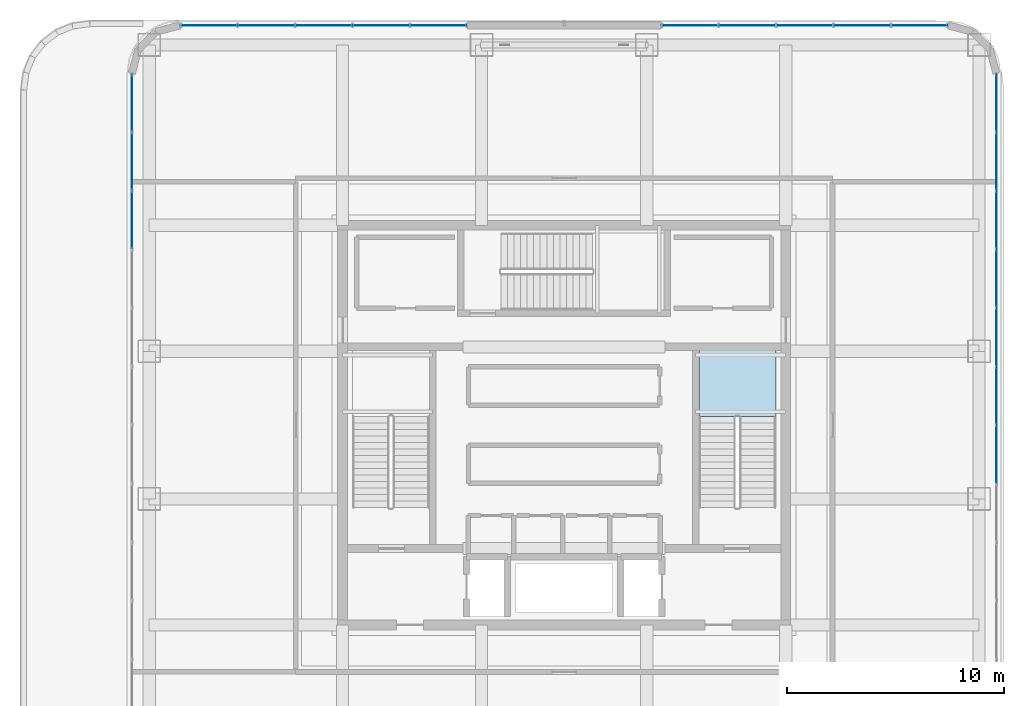
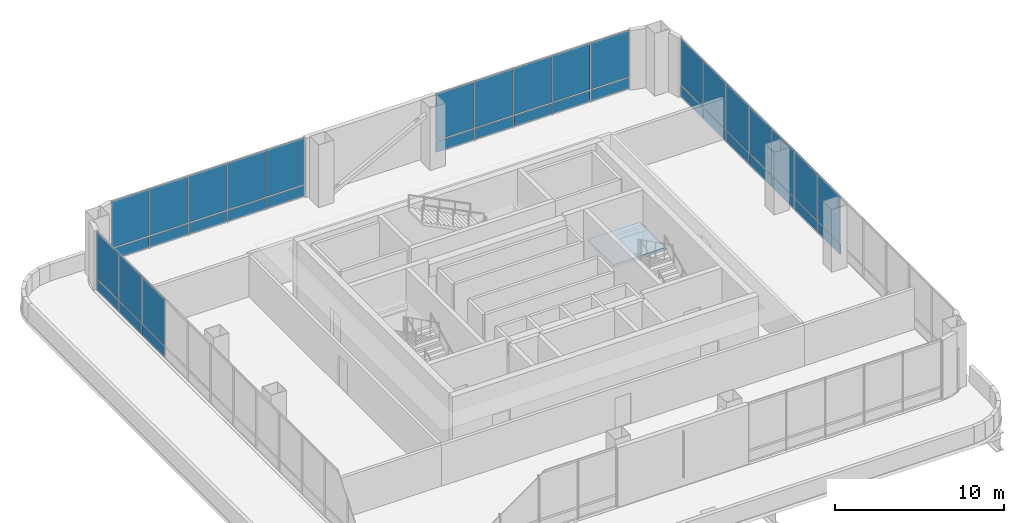
# One storey, part 26 of 33: 40 plates, 1 slab, 5 elements without a shape of their own.
"""IFC4 building model written with IfcOpenShell, lengths in metres."""

import ifcopenshell
import ifcopenshell.guid

model = None  # the IFC model being written
_history = None  # IfcOwnerHistory: only IFC2X3 demands one
_inside = {}  # id of a spatial element -> (the spatial element, [elements in it])
_under = {}  # id of a project, library or spatial element -> (it, [spatial elements below it])
_declared = {}  # id of a project -> (the project, [libraries it declares])
_typed = {}  # id of a type object -> (the type object, [elements of that type])
_made_of = {}  # id of a material, layer set ... -> (it, [elements and type objects made of it])


def new_model(schema):
    """Start an empty IFC model of exactly this schema.

    Asked for "IFC4X3", IfcOpenShell would pick the latest addendum, in which some entities
    have other attributes; the version numbers below select the first issue.
    IFC2X3 requires an IfcOwnerHistory on every rooted entity: one is made here for all.
    """
    global model, _history
    if schema == "IFC4X3":
        model = ifcopenshell.file(schema_version=(4, 3, 0, 0))
    else:
        model = ifcopenshell.file(schema=schema)
    _inside.clear()
    _under.clear()
    _declared.clear()
    _typed.clear()
    _made_of.clear()
    _history = None
    if model.schema == "IFC2X3":
        org = make("IfcOrganization", Name="unknown")
        user = make(
            "IfcPersonAndOrganization",
            ThePerson=make("IfcPerson", FamilyName="unknown"),
            TheOrganization=org,
        )
        app = make(
            "IfcApplication",
            ApplicationDeveloper=org,
            Version="unknown",
            ApplicationFullName="unknown",
            ApplicationIdentifier="unknown",
        )
        _history = make(
            "IfcOwnerHistory",
            OwningUser=user,
            OwningApplication=app,
            ChangeAction="ADDED",
            CreationDate=0,
        )
    return model


def make(cls, **values):
    """One entity of the class cls with the attributes given. An attribute that is None is left unset."""
    return model.create_entity(
        cls, **{name: value for name, value in values.items() if value is not None}
    )


def rooted(cls, **values):
    """An entity with a GlobalId (a new one), such as an element, a storey or a relation."""
    return make(cls, GlobalId=ifcopenshell.guid.new(), OwnerHistory=_history, **values)


def si_unit(unit_type, name, prefix=None):
    """IfcSIUnit, for example si_unit("LENGTHUNIT", "METRE", prefix="MILLI")."""
    return make("IfcSIUnit", UnitType=unit_type, Prefix=prefix, Name=name)


def assignment(units):
    """IfcUnitAssignment: the units of a project."""
    return None if units is None else make("IfcUnitAssignment", Units=units)


def point(xyz):
    """IfcCartesianPoint."""
    return None if xyz is None else make("IfcCartesianPoint", Coordinates=xyz)


def direction(xyz):
    """IfcDirection."""
    return None if xyz is None else make("IfcDirection", DirectionRatios=xyz)


def frame(location, z_axis=None, x_axis=None):
    """IfcAxis2Placement3D, a coordinate frame: its origin and axes. An axis left out is left unset."""
    return make(
        "IfcAxis2Placement3D",
        Location=point(location),
        Axis=direction(z_axis),
        RefDirection=direction(x_axis),
    )


def frame_2d(location, x_axis=None):
    """IfcAxis2Placement2D, a coordinate frame in the plane: its origin and x axis."""
    return make(
        "IfcAxis2Placement2D", Location=point(location), RefDirection=direction(x_axis)
    )


def origin():
    """The frame at (0, 0, 0) with its axes left unset."""
    return frame((0.0, 0.0, 0.0))


def origin_2d():
    """The frame at (0, 0) in the plane with its x axis left unset."""
    return frame_2d((0.0, 0.0))


def place(relative_to, where):
    """IfcLocalPlacement: puts the frame where relative to a parent placement (None: the world)."""
    return make(
        "IfcLocalPlacement", PlacementRelTo=relative_to, RelativePlacement=where
    )


def context(
    kind, dimensions, precision=None, world=None, true_north=None, identifier=None
):
    """IfcGeometricRepresentationContext, for example the 3D "Model" context."""
    return make(
        "IfcGeometricRepresentationContext",
        ContextIdentifier=identifier,
        ContextType=kind,
        CoordinateSpaceDimension=dimensions,
        Precision=precision,
        WorldCoordinateSystem=world,
        TrueNorth=true_north,
    )


def subcontext(parent, identifier, kind, view, scale=None):
    """IfcGeometricRepresentationSubContext, for example "Body" below "Model"."""
    return make(
        "IfcGeometricRepresentationSubContext",
        ContextIdentifier=identifier,
        ContextType=kind,
        ParentContext=parent,
        TargetScale=scale,
        TargetView=view,
    )


def project(units=None, contexts=None):
    """IfcProject with its units and contexts."""
    return rooted(
        "IfcProject",
        Name="project",
        RepresentationContexts=contexts,
        UnitsInContext=assignment(units),
    )


def spatial(cls, under=None, at=None, **own):
    """A site, building, storey or space (cls), placed at a placement, below another one or the project."""
    s = rooted(cls, ObjectPlacement=at, **own)
    if under is not None:
        _under.setdefault(under.id(), (under, []))[1].append(s)
    return s


def polyline(points):
    """IfcPolyline through the points."""
    return make("IfcPolyline", Points=[point(p) for p in points])


def profile(cls, at=None, kind="AREA", **sizes):
    """A parametric profile (cls). Its sizes go by their IFC names, for example OverallWidth=200.0."""
    return make(cls, ProfileType=kind, Position=at, **sizes)


def rectangle(**sizes):
    """IfcRectangleProfileDef."""
    return profile("IfcRectangleProfileDef", **sizes)


def outline(outer, holes=None, kind="AREA"):
    """IfcArbitraryClosedProfileDef: a profile drawn as a closed curve; with holes, ...WithVoids."""
    if holes is None:
        return make("IfcArbitraryClosedProfileDef", ProfileType=kind, OuterCurve=outer)
    return make(
        "IfcArbitraryProfileDefWithVoids",
        ProfileType=kind,
        OuterCurve=outer,
        InnerCurves=holes,
    )


def extrude(swept, where, along, depth):
    """IfcExtrudedAreaSolid: the profile swept, set in the frame where, extruded along a direction by depth."""
    return make(
        "IfcExtrudedAreaSolid",
        SweptArea=swept,
        Position=where,
        ExtrudedDirection=direction(along),
        Depth=depth,
    )


def shape(context_of_items, identifier, shape_type, items):
    """IfcShapeRepresentation: the items that make up one representation, for example the "Body"."""
    return make(
        "IfcShapeRepresentation",
        ContextOfItems=context_of_items,
        RepresentationIdentifier=identifier,
        RepresentationType=shape_type,
        Items=items,
    )


def material(Name=None, Category=None):
    """IfcMaterial."""
    return make("IfcMaterial", Name=Name, Category=Category)


def layer(
    of_material, thickness, ventilated=None, Name=None, Category=None, Priority=None
):
    """IfcMaterialLayer: one layer of a wall or slab, of a material (None: an air gap)."""
    return make(
        "IfcMaterialLayer",
        Material=of_material,
        LayerThickness=thickness,
        IsVentilated=ventilated,
        Name=Name,
        Category=Category,
        Priority=Priority,
    )


def layer_set(layers, Name=None):
    """IfcMaterialLayerSet."""
    return make("IfcMaterialLayerSet", MaterialLayers=layers, LayerSetName=Name)


def made_of(thing, what):
    """Note that an element or type object is made of a material, layer set ...; save() writes the relation."""
    if what is not None:
        _made_of.setdefault(what.id(), (what, []))[1].append(thing)
    return thing


def type_object(cls, material=None, **own):
    """A type object (cls), such as IfcWallType, which elements share."""
    return made_of(rooted(cls, **own), material)


def element(
    cls,
    number,
    at=None,
    inside=None,
    cuts=None,
    type_object=None,
    material=None,
    context=None,
    identifier="Body",
    shape_type=None,
    held_by="IfcProductDefinitionShape",
    body=None,
    shapes=None,
    **own,
):
    """One element of the class cls, such as IfcWall. Its Tag is "e" and its number.

    at: its placement. inside: the storey or other place that contains it. cuts: it is an
    opening in that element (IfcRelVoidsElement). A single representation is given by context,
    identifier, shape_type and body (its items); several are given by shapes. held_by: the class
    of the entity that holds the representations. save() writes the other relations.
    """
    e = rooted(cls, Tag="e%d" % number, ObjectPlacement=at, **own)
    if body is not None:
        shapes = [shape(context, identifier, shape_type, body)]
    if shapes is not None:
        e.Representation = make(held_by, Representations=shapes)
    if inside is not None:
        _inside.setdefault(inside.id(), (inside, []))[1].append(e)
    if cuts is not None:
        rooted(
            "IfcRelVoidsElement", RelatingBuildingElement=cuts, RelatedOpeningElement=e
        )
    if type_object is not None:
        _typed.setdefault(type_object.id(), (type_object, []))[1].append(e)
    return made_of(e, material)


def aggregate(whole, parts):
    """IfcRelAggregates: a whole, such as a stair, and the parts it consists of."""
    return rooted("IfcRelAggregates", RelatingObject=whole, RelatedObjects=parts)


def save(model, path):
    """Write the relations noted so far, then the file.

    IfcRelAggregates (storeys below a building ...), IfcRelContainedInSpatialStructure (elements
    in a storey), IfcRelDefinesByType, IfcRelAssociatesMaterial and IfcRelDeclares: one each for
    every whole, place, type object, material and project.
    """
    for whole, parts in _under.values():
        aggregate(whole, parts)
    for where, things in _inside.values():
        rooted(
            "IfcRelContainedInSpatialStructure",
            RelatedElements=things,
            RelatingStructure=where,
        )
    for kind, things in _typed.values():
        rooted("IfcRelDefinesByType", RelatedObjects=things, RelatingType=kind)
    for what, things in _made_of.values():
        rooted("IfcRelAssociatesMaterial", RelatedObjects=things, RelatingMaterial=what)
    for by, libraries in _declared.values():
        rooted("IfcRelDeclares", RelatingContext=by, RelatedDefinitions=libraries)
    model.write(path)


model = new_model("IFC4")

# Units and contexts
model_context = context("Model", 3, precision=1e-05, world=origin(), true_north=direction((0.0, 1.0)))
body_context = subcontext(model_context, "Body", "Model", "MODEL_VIEW")
ifc_project = project(units=[si_unit("LENGTHUNIT", "METRE"), si_unit("AREAUNIT", "SQUARE_METRE"), si_unit("VOLUMEUNIT", "CUBIC_METRE"), si_unit("PLANEANGLEUNIT", "RADIAN"), si_unit("MASSUNIT", "GRAM", prefix="KILO")], contexts=[model_context])

# Site, building, storey
site_placement = place(None, origin())
site = spatial("IfcSite", under=ifc_project, at=site_placement, CompositionType="ELEMENT")
building_placement = place(site_placement, origin())
building = spatial("IfcBuilding", under=site, at=building_placement, Name="Punatoya Terracotta Tower", CompositionType="ELEMENT")
storey_placement = place(building_placement, frame((0.0, 0.0, 343.800048828125)))
storey = spatial("IfcBuildingStorey", under=building, at=storey_placement, Name="L81", CompositionType="ELEMENT", Elevation=343.800048828125)

# Curtain wall, plates
ifc_material_1 = material(Name="Aluminium 6063-T6 + Double Low-E Glass", Category="aluminium")
curtain_wall_type = type_object("IfcCurtainWallType", Name="CW-CRN", PredefinedType="NOTDEFINED", material=ifc_material_1)
curtain_wall_1_placement = place(storey_placement, origin())
curtain_wall_1 = element("IfcCurtainWall", 1, at=curtain_wall_1_placement, inside=storey, type_object=curtain_wall_type, Name="L81 Curtain Wall CW-L81-E05-1", PredefinedType="NOTDEFINED")
ifc_material_2 = material(Name="Double Low-E Acoustic Vision Glass", Category="glass")
ifc_layer_1 = layer(ifc_material_2, 0.031982421875)
ifc_layer_set_1 = layer_set([ifc_layer_1], Name="Double Low-E Acoustic Vision Glass")
plate_type_1 = type_object("IfcPlateType", Name="PLT-GLZ-32", PredefinedType="CURTAIN_PANEL", material=ifc_layer_set_1)
plate_1_placement = place(storey_placement, frame((19.89990234375, -1.348876953125, 0.889892578125), z_axis=(0.0, 0.0, 1.0), x_axis=(0.0, 1.0, 0.0)))
plate_1 = element("IfcPlate", 2, at=plate_1_placement, type_object=plate_type_1, Name="CW-L81-E05-1 Vision Glass Panel 6", PredefinedType="CURTAIN_PANEL", context=body_context, shape_type="SweptSolid", body=[
    extrude(rectangle(XDim=2.61279296875, YDim=0.031982421875, at=origin_2d()), origin(), (0.0, 0.0, 1.0), 3.35009765625),
])
plate_2_placement = place(storey_placement, frame((19.89990234375, 1.348876953125, 0.889892578125), z_axis=(0.0, 0.0, 1.0), x_axis=(0.0, 1.0, 0.0)))
plate_2 = element("IfcPlate", 3, at=plate_2_placement, type_object=plate_type_1, Name="CW-L81-E05-1 Vision Glass Panel 7", PredefinedType="CURTAIN_PANEL", context=body_context, shape_type="SweptSolid", body=[
    extrude(rectangle(XDim=2.61279296875, YDim=0.031982421875, at=origin_2d()), origin(), (0.0, 0.0, 1.0), 3.35009765625),
])
plate_3_placement = place(storey_placement, frame((19.89990234375, 4.046630859375, 0.889892578125), z_axis=(0.0, 0.0, 1.0), x_axis=(0.0, 1.0, 0.0)))
plate_3 = element("IfcPlate", 4, at=plate_3_placement, type_object=plate_type_1, Name="CW-L81-E05-1 Vision Glass Panel 8", PredefinedType="CURTAIN_PANEL", context=body_context, shape_type="SweptSolid", body=[
    extrude(rectangle(XDim=2.61279296875, YDim=0.031982421875, at=origin_2d()), origin(), (0.0, 0.0, 1.0), 3.35009765625),
])
plate_4_placement = place(storey_placement, frame((19.89990234375, 6.744384765625, 0.889892578125), z_axis=(0.0, 0.0, 1.0), x_axis=(0.0, 1.0, 0.0)))
plate_4 = element("IfcPlate", 5, at=plate_4_placement, type_object=plate_type_1, Name="CW-L81-E05-1 Vision Glass Panel 9", PredefinedType="CURTAIN_PANEL", context=body_context, shape_type="SweptSolid", body=[
    extrude(rectangle(XDim=2.61279296875, YDim=0.031982421875, at=origin_2d()), origin(), (0.0, 0.0, 1.0), 3.35009765625),
])
plate_5_placement = place(storey_placement, frame((19.89990234375, 9.4423828125, 0.889892578125), z_axis=(0.0, 0.0, 1.0), x_axis=(0.0, 1.0, 0.0)))
plate_5 = element("IfcPlate", 6, at=plate_5_placement, type_object=plate_type_1, Name="CW-L81-E05-1 Vision Glass Panel 10", PredefinedType="CURTAIN_PANEL", context=body_context, shape_type="SweptSolid", body=[
    extrude(rectangle(XDim=2.61279296875, YDim=0.031982421875, at=origin_2d()), origin(), (0.0, 0.0, 1.0), 3.35009765625),
])
plate_6_placement = place(storey_placement, frame((19.89990234375, 12.14013671875, 0.889892578125), z_axis=(0.0, 0.0, 1.0), x_axis=(0.0, 1.0, 0.0)))
plate_6 = element("IfcPlate", 7, at=plate_6_placement, type_object=plate_type_1, Name="CW-L81-E05-1 Vision Glass Panel 11", PredefinedType="CURTAIN_PANEL", context=body_context, shape_type="SweptSolid", body=[
    extrude(rectangle(XDim=2.61279296875, YDim=0.031982421875, at=origin_2d()), origin(), (0.0, 0.0, 1.0), 3.35009765625),
])
plate_7_placement = place(storey_placement, frame((19.89990234375, 14.837890625, 0.889892578125), z_axis=(0.0, 0.0, 1.0), x_axis=(0.0, 1.0, 0.0)))
plate_7 = element("IfcPlate", 8, at=plate_7_placement, type_object=plate_type_1, Name="CW-L81-E05-1 Vision Glass Panel 12", PredefinedType="CURTAIN_PANEL", context=body_context, shape_type="SweptSolid", body=[
    extrude(rectangle(XDim=2.61279296875, YDim=0.031982421875, at=origin_2d()), origin(), (0.0, 0.0, 1.0), 3.35009765625),
])

curtain_wall_2_placement = place(storey_placement, origin())
curtain_wall_2 = element("IfcCurtainWall", 9, at=curtain_wall_2_placement, inside=storey, type_object=curtain_wall_type, Name="L81 Curtain Wall CW-L81-N09-1", PredefinedType="NOTDEFINED")
plate_8_placement = place(storey_placement, frame((16.36328125, 18.39990234375, 0.889892578125), z_axis=(0.0, 0.0, 1.0), x_axis=(-1.0, 0.0, 0.0)))
plate_8 = element("IfcPlate", 10, at=plate_8_placement, type_object=plate_type_1, Name="CW-L81-N09-1 Vision Glass Panel 1", PredefinedType="CURTAIN_PANEL", context=body_context, shape_type="SweptSolid", body=[
    extrude(rectangle(XDim=2.5625, YDim=0.031982421875, at=origin_2d()), origin(), (0.0, 0.0, 1.0), 3.35009765625),
])
plate_9_placement = place(storey_placement, frame((13.7158203125, 18.39990234375, 0.889892578125), z_axis=(0.0, 0.0, 1.0), x_axis=(-1.0, 0.0, 0.0)))
plate_9 = element("IfcPlate", 11, at=plate_9_placement, type_object=plate_type_1, Name="CW-L81-N09-1 Vision Glass Panel 2", PredefinedType="CURTAIN_PANEL", context=body_context, shape_type="SweptSolid", body=[
    extrude(rectangle(XDim=2.5625, YDim=0.031982421875, at=origin_2d()), origin(), (0.0, 0.0, 1.0), 3.35009765625),
])
plate_10_placement = place(storey_placement, frame((11.068603515625, 18.39990234375, 0.889892578125), z_axis=(0.0, 0.0, 1.0), x_axis=(-1.0, 0.0, 0.0)))
plate_10 = element("IfcPlate", 12, at=plate_10_placement, type_object=plate_type_1, Name="CW-L81-N09-1 Vision Glass Panel 3", PredefinedType="CURTAIN_PANEL", context=body_context, shape_type="SweptSolid", body=[
    extrude(rectangle(XDim=2.5625, YDim=0.031982421875, at=origin_2d()), origin(), (0.0, 0.0, 1.0), 3.35009765625),
])
plate_11_placement = place(storey_placement, frame((8.421142578125, 18.39990234375, 0.889892578125), z_axis=(0.0, 0.0, 1.0), x_axis=(-1.0, 0.0, 0.0)))
plate_11 = element("IfcPlate", 13, at=plate_11_placement, type_object=plate_type_1, Name="CW-L81-N09-1 Vision Glass Panel 4", PredefinedType="CURTAIN_PANEL", context=body_context, shape_type="SweptSolid", body=[
    extrude(rectangle(XDim=2.5625, YDim=0.031982421875, at=origin_2d()), origin(), (0.0, 0.0, 1.0), 3.35009765625),
])
plate_12_placement = place(storey_placement, frame((5.773681640625, 18.39990234375, 0.889892578125), z_axis=(0.0, 0.0, 1.0), x_axis=(-1.0, 0.0, 0.0)))
plate_12 = element("IfcPlate", 14, at=plate_12_placement, type_object=plate_type_1, Name="CW-L81-N09-1 Vision Glass Panel 5", PredefinedType="CURTAIN_PANEL", context=body_context, shape_type="SweptSolid", body=[
    extrude(rectangle(XDim=2.5625, YDim=0.031982421875, at=origin_2d()), origin(), (0.0, 0.0, 1.0), 3.35009765625),
])

curtain_wall_3_placement = place(storey_placement, origin())
curtain_wall_3 = element("IfcCurtainWall", 15, at=curtain_wall_3_placement, inside=storey, type_object=curtain_wall_type, Name="L81 Curtain Wall CW-L81-N09-2", PredefinedType="NOTDEFINED")
plate_13_placement = place(storey_placement, frame((-5.773681640625, 18.39990234375, 0.889892578125), z_axis=(0.0, 0.0, 1.0), x_axis=(-1.0, 0.0, 0.0)))
plate_13 = element("IfcPlate", 16, at=plate_13_placement, type_object=plate_type_1, Name="CW-L81-N09-2 Vision Glass Panel 1", PredefinedType="CURTAIN_PANEL", context=body_context, shape_type="SweptSolid", body=[
    extrude(rectangle(XDim=2.5625, YDim=0.031982421875, at=origin_2d()), origin(), (0.0, 0.0, 1.0), 3.35009765625),
])
plate_14_placement = place(storey_placement, frame((-8.421142578125, 18.39990234375, 0.889892578125), z_axis=(0.0, 0.0, 1.0), x_axis=(-1.0, 0.0, 0.0)))
plate_14 = element("IfcPlate", 17, at=plate_14_placement, type_object=plate_type_1, Name="CW-L81-N09-2 Vision Glass Panel 2", PredefinedType="CURTAIN_PANEL", context=body_context, shape_type="SweptSolid", body=[
    extrude(rectangle(XDim=2.5625, YDim=0.031982421875, at=origin_2d()), origin(), (0.0, 0.0, 1.0), 3.35009765625),
])
plate_15_placement = place(storey_placement, frame((-11.068603515625, 18.39990234375, 0.889892578125), z_axis=(0.0, 0.0, 1.0), x_axis=(-1.0, 0.0, 0.0)))
plate_15 = element("IfcPlate", 18, at=plate_15_placement, type_object=plate_type_1, Name="CW-L81-N09-2 Vision Glass Panel 3", PredefinedType="CURTAIN_PANEL", context=body_context, shape_type="SweptSolid", body=[
    extrude(rectangle(XDim=2.5625, YDim=0.031982421875, at=origin_2d()), origin(), (0.0, 0.0, 1.0), 3.35009765625),
])
plate_16_placement = place(storey_placement, frame((-13.7158203125, 18.39990234375, 0.889892578125), z_axis=(0.0, 0.0, 1.0), x_axis=(-1.0, 0.0, 0.0)))
plate_16 = element("IfcPlate", 19, at=plate_16_placement, type_object=plate_type_1, Name="CW-L81-N09-2 Vision Glass Panel 4", PredefinedType="CURTAIN_PANEL", context=body_context, shape_type="SweptSolid", body=[
    extrude(rectangle(XDim=2.5625, YDim=0.031982421875, at=origin_2d()), origin(), (0.0, 0.0, 1.0), 3.35009765625),
])
plate_17_placement = place(storey_placement, frame((-16.36328125, 18.39990234375, 0.889892578125), z_axis=(0.0, 0.0, 1.0), x_axis=(-1.0, 0.0, 0.0)))
plate_17 = element("IfcPlate", 20, at=plate_17_placement, type_object=plate_type_1, Name="CW-L81-N09-2 Vision Glass Panel 5", PredefinedType="CURTAIN_PANEL", context=body_context, shape_type="SweptSolid", body=[
    extrude(rectangle(XDim=2.5625, YDim=0.031982421875, at=origin_2d()), origin(), (0.0, 0.0, 1.0), 3.35009765625),
])

curtain_wall_4_placement = place(storey_placement, origin())
curtain_wall_4 = element("IfcCurtainWall", 21, at=curtain_wall_4_placement, inside=storey, type_object=curtain_wall_type, Name="L81 Curtain Wall CW-L81-W13-1", PredefinedType="NOTDEFINED")
plate_18_placement = place(storey_placement, frame((-19.89990234375, 14.837890625, 0.889892578125), z_axis=(0.0, 0.0, 1.0), x_axis=(0.0, -1.0, 0.0)))
plate_18 = element("IfcPlate", 22, at=plate_18_placement, type_object=plate_type_1, Name="CW-L81-W13-1 Vision Glass Panel 1", PredefinedType="CURTAIN_PANEL", context=body_context, shape_type="SweptSolid", body=[
    extrude(rectangle(XDim=2.61279296875, YDim=0.031982421875, at=origin_2d()), origin(), (0.0, 0.0, 1.0), 3.35009765625),
])
plate_19_placement = place(storey_placement, frame((-19.89990234375, 12.14013671875, 0.889892578125), z_axis=(0.0, 0.0, 1.0), x_axis=(0.0, -1.0, 0.0)))
plate_19 = element("IfcPlate", 23, at=plate_19_placement, type_object=plate_type_1, Name="CW-L81-W13-1 Vision Glass Panel 2", PredefinedType="CURTAIN_PANEL", context=body_context, shape_type="SweptSolid", body=[
    extrude(rectangle(XDim=2.61279296875, YDim=0.031982421875, at=origin_2d()), origin(), (0.0, 0.0, 1.0), 3.35009765625),
])
plate_20_placement = place(storey_placement, frame((-19.89990234375, 9.4423828125, 0.889892578125), z_axis=(0.0, 0.0, 1.0), x_axis=(0.0, -1.0, 0.0)))
plate_20 = element("IfcPlate", 24, at=plate_20_placement, type_object=plate_type_1, Name="CW-L81-W13-1 Vision Glass Panel 3", PredefinedType="CURTAIN_PANEL", context=body_context, shape_type="SweptSolid", body=[
    extrude(rectangle(XDim=2.61279296875, YDim=0.031982421875, at=origin_2d()), origin(), (0.0, 0.0, 1.0), 3.35009765625),
])

# Plate
ifc_material_3 = material(Name="Crown Insulated Terracotta Spandrel Panel", Category="masonry")
ifc_layer_2 = layer(ifc_material_3, 0.052001953125)
ifc_layer_set_2 = layer_set([ifc_layer_2], Name="Crown Insulated Terracotta Spandrel Panel")
plate_type_2 = type_object("IfcPlateType", Name="PLT-SPN-52", PredefinedType="CURTAIN_PANEL", material=ifc_layer_set_2)
plate_21_placement = place(storey_placement, frame((19.89990234375, -1.348876953125, 0.0400390625), z_axis=(0.0, 0.0, 1.0), x_axis=(0.0, 1.0, 0.0)))
plate_21 = element("IfcPlate", 25, at=plate_21_placement, type_object=plate_type_2, Name="CW-L81-E05-1 Terracotta Spandrel Panel 6", PredefinedType="CURTAIN_PANEL", context=body_context, shape_type="SweptSolid", body=[
    extrude(rectangle(XDim=2.61279296875, YDim=0.052001953125, at=origin_2d()), origin(), (0.0, 0.0, 1.0), 0.77490234375),
])

plate_22_placement = place(storey_placement, frame((19.89990234375, 1.348876953125, 0.0400390625), z_axis=(0.0, 0.0, 1.0), x_axis=(0.0, 1.0, 0.0)))
plate_22 = element("IfcPlate", 26, at=plate_22_placement, type_object=plate_type_2, Name="CW-L81-E05-1 Terracotta Spandrel Panel 7", PredefinedType="CURTAIN_PANEL", context=body_context, shape_type="SweptSolid", body=[
    extrude(rectangle(XDim=2.61279296875, YDim=0.052001953125, at=origin_2d()), origin(), (0.0, 0.0, 1.0), 0.77490234375),
])

plate_23_placement = place(storey_placement, frame((19.89990234375, 4.046630859375, 0.0400390625), z_axis=(0.0, 0.0, 1.0), x_axis=(0.0, 1.0, 0.0)))
plate_23 = element("IfcPlate", 27, at=plate_23_placement, type_object=plate_type_2, Name="CW-L81-E05-1 Terracotta Spandrel Panel 8", PredefinedType="CURTAIN_PANEL", context=body_context, shape_type="SweptSolid", body=[
    extrude(rectangle(XDim=2.61279296875, YDim=0.052001953125, at=origin_2d()), origin(), (0.0, 0.0, 1.0), 0.77490234375),
])

plate_24_placement = place(storey_placement, frame((19.89990234375, 6.744384765625, 0.0400390625), z_axis=(0.0, 0.0, 1.0), x_axis=(0.0, 1.0, 0.0)))
plate_24 = element("IfcPlate", 28, at=plate_24_placement, type_object=plate_type_2, Name="CW-L81-E05-1 Terracotta Spandrel Panel 9", PredefinedType="CURTAIN_PANEL", context=body_context, shape_type="SweptSolid", body=[
    extrude(rectangle(XDim=2.61279296875, YDim=0.052001953125, at=origin_2d()), origin(), (0.0, 0.0, 1.0), 0.77490234375),
])

plate_25_placement = place(storey_placement, frame((19.89990234375, 9.4423828125, 0.0400390625), z_axis=(0.0, 0.0, 1.0), x_axis=(0.0, 1.0, 0.0)))
plate_25 = element("IfcPlate", 29, at=plate_25_placement, type_object=plate_type_2, Name="CW-L81-E05-1 Terracotta Spandrel Panel 10", PredefinedType="CURTAIN_PANEL", context=body_context, shape_type="SweptSolid", body=[
    extrude(rectangle(XDim=2.61279296875, YDim=0.052001953125, at=origin_2d()), origin(), (0.0, 0.0, 1.0), 0.77490234375),
])

plate_26_placement = place(storey_placement, frame((19.89990234375, 12.14013671875, 0.0400390625), z_axis=(0.0, 0.0, 1.0), x_axis=(0.0, 1.0, 0.0)))
plate_26 = element("IfcPlate", 30, at=plate_26_placement, type_object=plate_type_2, Name="CW-L81-E05-1 Terracotta Spandrel Panel 11", PredefinedType="CURTAIN_PANEL", context=body_context, shape_type="SweptSolid", body=[
    extrude(rectangle(XDim=2.61279296875, YDim=0.052001953125, at=origin_2d()), origin(), (0.0, 0.0, 1.0), 0.77490234375),
])

plate_27_placement = place(storey_placement, frame((19.89990234375, 14.837890625, 0.0400390625), z_axis=(0.0, 0.0, 1.0), x_axis=(0.0, 1.0, 0.0)))
plate_27 = element("IfcPlate", 31, at=plate_27_placement, type_object=plate_type_2, Name="CW-L81-E05-1 Terracotta Spandrel Panel 12", PredefinedType="CURTAIN_PANEL", context=body_context, shape_type="SweptSolid", body=[
    extrude(rectangle(XDim=2.61279296875, YDim=0.052001953125, at=origin_2d()), origin(), (0.0, 0.0, 1.0), 0.77490234375),
])

aggregate(curtain_wall_1, [plate_21, plate_1, plate_22, plate_2, plate_23, plate_3, plate_24, plate_4, plate_25, plate_5, plate_26, plate_6, plate_27, plate_7])

plate_28_placement = place(storey_placement, frame((16.36328125, 18.39990234375, 0.0400390625), z_axis=(0.0, 0.0, 1.0), x_axis=(-1.0, 0.0, 0.0)))
plate_28 = element("IfcPlate", 32, at=plate_28_placement, type_object=plate_type_2, Name="CW-L81-N09-1 Terracotta Spandrel Panel 1", PredefinedType="CURTAIN_PANEL", context=body_context, shape_type="SweptSolid", body=[
    extrude(rectangle(XDim=2.5625, YDim=0.052001953125, at=origin_2d()), origin(), (0.0, 0.0, 1.0), 0.77490234375),
])

plate_29_placement = place(storey_placement, frame((13.7158203125, 18.39990234375, 0.0400390625), z_axis=(0.0, 0.0, 1.0), x_axis=(-1.0, 0.0, 0.0)))
plate_29 = element("IfcPlate", 33, at=plate_29_placement, type_object=plate_type_2, Name="CW-L81-N09-1 Terracotta Spandrel Panel 2", PredefinedType="CURTAIN_PANEL", context=body_context, shape_type="SweptSolid", body=[
    extrude(rectangle(XDim=2.5625, YDim=0.052001953125, at=origin_2d()), origin(), (0.0, 0.0, 1.0), 0.77490234375),
])

plate_30_placement = place(storey_placement, frame((11.068603515625, 18.39990234375, 0.0400390625), z_axis=(0.0, 0.0, 1.0), x_axis=(-1.0, 0.0, 0.0)))
plate_30 = element("IfcPlate", 34, at=plate_30_placement, type_object=plate_type_2, Name="CW-L81-N09-1 Terracotta Spandrel Panel 3", PredefinedType="CURTAIN_PANEL", context=body_context, shape_type="SweptSolid", body=[
    extrude(rectangle(XDim=2.5625, YDim=0.052001953125, at=origin_2d()), origin(), (0.0, 0.0, 1.0), 0.77490234375),
])

plate_31_placement = place(storey_placement, frame((8.421142578125, 18.39990234375, 0.0400390625), z_axis=(0.0, 0.0, 1.0), x_axis=(-1.0, 0.0, 0.0)))
plate_31 = element("IfcPlate", 35, at=plate_31_placement, type_object=plate_type_2, Name="CW-L81-N09-1 Terracotta Spandrel Panel 4", PredefinedType="CURTAIN_PANEL", context=body_context, shape_type="SweptSolid", body=[
    extrude(rectangle(XDim=2.5625, YDim=0.052001953125, at=origin_2d()), origin(), (0.0, 0.0, 1.0), 0.77490234375),
])

plate_32_placement = place(storey_placement, frame((5.773681640625, 18.39990234375, 0.0400390625), z_axis=(0.0, 0.0, 1.0), x_axis=(-1.0, 0.0, 0.0)))
plate_32 = element("IfcPlate", 36, at=plate_32_placement, type_object=plate_type_2, Name="CW-L81-N09-1 Terracotta Spandrel Panel 5", PredefinedType="CURTAIN_PANEL", context=body_context, shape_type="SweptSolid", body=[
    extrude(rectangle(XDim=2.5625, YDim=0.052001953125, at=origin_2d()), origin(), (0.0, 0.0, 1.0), 0.77490234375),
])

aggregate(curtain_wall_2, [plate_28, plate_8, plate_29, plate_9, plate_30, plate_10, plate_31, plate_11, plate_32, plate_12])

plate_33_placement = place(storey_placement, frame((-5.773681640625, 18.39990234375, 0.0400390625), z_axis=(0.0, 0.0, 1.0), x_axis=(-1.0, 0.0, 0.0)))
plate_33 = element("IfcPlate", 37, at=plate_33_placement, type_object=plate_type_2, Name="CW-L81-N09-2 Terracotta Spandrel Panel 1", PredefinedType="CURTAIN_PANEL", context=body_context, shape_type="SweptSolid", body=[
    extrude(rectangle(XDim=2.5625, YDim=0.052001953125, at=origin_2d()), origin(), (0.0, 0.0, 1.0), 0.77490234375),
])

plate_34_placement = place(storey_placement, frame((-8.421142578125, 18.39990234375, 0.0400390625), z_axis=(0.0, 0.0, 1.0), x_axis=(-1.0, 0.0, 0.0)))
plate_34 = element("IfcPlate", 38, at=plate_34_placement, type_object=plate_type_2, Name="CW-L81-N09-2 Terracotta Spandrel Panel 2", PredefinedType="CURTAIN_PANEL", context=body_context, shape_type="SweptSolid", body=[
    extrude(rectangle(XDim=2.5625, YDim=0.052001953125, at=origin_2d()), origin(), (0.0, 0.0, 1.0), 0.77490234375),
])

plate_35_placement = place(storey_placement, frame((-11.068603515625, 18.39990234375, 0.0400390625), z_axis=(0.0, 0.0, 1.0), x_axis=(-1.0, 0.0, 0.0)))
plate_35 = element("IfcPlate", 39, at=plate_35_placement, type_object=plate_type_2, Name="CW-L81-N09-2 Terracotta Spandrel Panel 3", PredefinedType="CURTAIN_PANEL", context=body_context, shape_type="SweptSolid", body=[
    extrude(rectangle(XDim=2.5625, YDim=0.052001953125, at=origin_2d()), origin(), (0.0, 0.0, 1.0), 0.77490234375),
])

plate_36_placement = place(storey_placement, frame((-13.7158203125, 18.39990234375, 0.0400390625), z_axis=(0.0, 0.0, 1.0), x_axis=(-1.0, 0.0, 0.0)))
plate_36 = element("IfcPlate", 40, at=plate_36_placement, type_object=plate_type_2, Name="CW-L81-N09-2 Terracotta Spandrel Panel 4", PredefinedType="CURTAIN_PANEL", context=body_context, shape_type="SweptSolid", body=[
    extrude(rectangle(XDim=2.5625, YDim=0.052001953125, at=origin_2d()), origin(), (0.0, 0.0, 1.0), 0.77490234375),
])

plate_37_placement = place(storey_placement, frame((-16.36328125, 18.39990234375, 0.0400390625), z_axis=(0.0, 0.0, 1.0), x_axis=(-1.0, 0.0, 0.0)))
plate_37 = element("IfcPlate", 41, at=plate_37_placement, type_object=plate_type_2, Name="CW-L81-N09-2 Terracotta Spandrel Panel 5", PredefinedType="CURTAIN_PANEL", context=body_context, shape_type="SweptSolid", body=[
    extrude(rectangle(XDim=2.5625, YDim=0.052001953125, at=origin_2d()), origin(), (0.0, 0.0, 1.0), 0.77490234375),
])

aggregate(curtain_wall_3, [plate_33, plate_13, plate_34, plate_14, plate_35, plate_15, plate_36, plate_16, plate_37, plate_17])

plate_38_placement = place(storey_placement, frame((-19.89990234375, 14.837890625, 0.0400390625), z_axis=(0.0, 0.0, 1.0), x_axis=(0.0, -1.0, 0.0)))
plate_38 = element("IfcPlate", 42, at=plate_38_placement, type_object=plate_type_2, Name="CW-L81-W13-1 Terracotta Spandrel Panel 1", PredefinedType="CURTAIN_PANEL", context=body_context, shape_type="SweptSolid", body=[
    extrude(rectangle(XDim=2.61279296875, YDim=0.052001953125, at=origin_2d()), origin(), (0.0, 0.0, 1.0), 0.77490234375),
])

plate_39_placement = place(storey_placement, frame((-19.89990234375, 12.14013671875, 0.0400390625), z_axis=(0.0, 0.0, 1.0), x_axis=(0.0, -1.0, 0.0)))
plate_39 = element("IfcPlate", 43, at=plate_39_placement, type_object=plate_type_2, Name="CW-L81-W13-1 Terracotta Spandrel Panel 2", PredefinedType="CURTAIN_PANEL", context=body_context, shape_type="SweptSolid", body=[
    extrude(rectangle(XDim=2.61279296875, YDim=0.052001953125, at=origin_2d()), origin(), (0.0, 0.0, 1.0), 0.77490234375),
])

plate_40_placement = place(storey_placement, frame((-19.89990234375, 9.4423828125, 0.0400390625), z_axis=(0.0, 0.0, 1.0), x_axis=(0.0, -1.0, 0.0)))
plate_40 = element("IfcPlate", 44, at=plate_40_placement, type_object=plate_type_2, Name="CW-L81-W13-1 Terracotta Spandrel Panel 3", PredefinedType="CURTAIN_PANEL", context=body_context, shape_type="SweptSolid", body=[
    extrude(rectangle(XDim=2.61279296875, YDim=0.052001953125, at=origin_2d()), origin(), (0.0, 0.0, 1.0), 0.77490234375),
])

aggregate(curtain_wall_4, [plate_38, plate_18, plate_39, plate_19, plate_40, plate_20])

# Stair, slab
ifc_material_4 = material(Name="Concrete C40/50", Category="concrete")
stair_type = type_object("IfcStairType", Name="STR-LOB-1650", PredefinedType="HALF_TURN_STAIR", material=ifc_material_4)
stair_placement = place(storey_placement, origin())
stair = element("IfcStair", 45, at=stair_placement, inside=storey, type_object=stair_type, Name="L81 Protected Core Exit Stair ST-2", PredefinedType="HALF_TURN_STAIR")
ifc_layer_3 = layer(ifc_material_4, 0.179931640625)
ifc_layer_set_3 = layer_set([ifc_layer_3], Name="Concrete C40/50")
slab_type = type_object("IfcSlabType", Name="SLB-LND-180", PredefinedType="LANDING", material=ifc_layer_set_3)
slab_placement = place(storey_placement, frame((0.0, 0.0, 2.050048828125)))
slab = element("IfcSlab", 46, at=slab_placement, type_object=slab_type, Name="ST-2 landing 1", PredefinedType="LANDING", context=body_context, shape_type="SweptSolid", body=[
    extrude(outline(polyline([(9.75, 0.39990234375), (9.75, 3.449951171875), (6.199951171875, 3.449951171875), (6.199951171875, 0.39990234375), (9.75, 0.39990234375)])), origin(), (0.0, 0.0, 1.0), 0.199951171875),
])
aggregate(stair, [slab])

save(model, "model.ifc")
